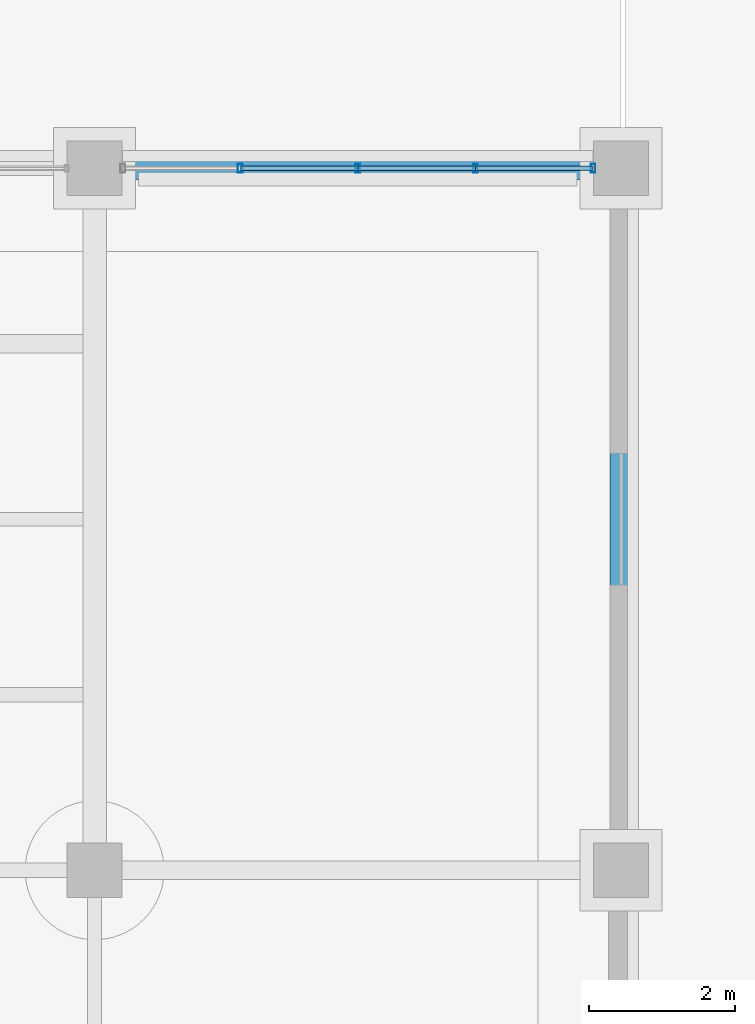
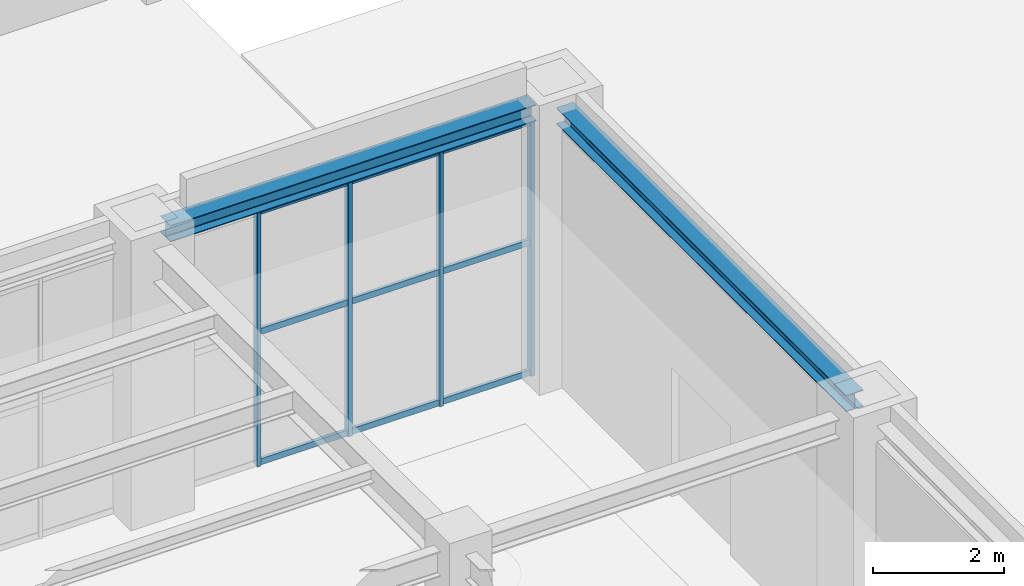
# One storey, part 39 of 164: 13 members, 2 beams, 1 element without a shape of its own.
"""IFC4 building model written with IfcOpenShell, lengths in metres."""

from ifc_helpers import new_model, si_unit, direction, frame, origin, origin_2d, place, context, subcontext, project, spatial, hollow_rectangle, i_section, extrude, material, material_profile, profile_set, type_object, element, aggregate, save


model = new_model("IFC4")

# Units and contexts
model_context = context("Model", 3, precision=1e-05, world=origin(), true_north=direction((0.0, 1.0)))
body_context = subcontext(model_context, "Body", "Model", "MODEL_VIEW")
ifc_project = project(units=[si_unit("LENGTHUNIT", "METRE"), si_unit("AREAUNIT", "SQUARE_METRE"), si_unit("VOLUMEUNIT", "CUBIC_METRE"), si_unit("PLANEANGLEUNIT", "RADIAN"), si_unit("MASSUNIT", "GRAM", prefix="KILO")], contexts=[model_context])

# Site, building, storey
site_placement = place(None, origin())
site = spatial("IfcSite", under=ifc_project, at=site_placement, CompositionType="ELEMENT")
building_placement = place(site_placement, origin())
building = spatial("IfcBuilding", under=site, at=building_placement, Name="Mavantir Sound Aquarium", CompositionType="ELEMENT")
storey_placement = place(building_placement, origin())
storey = spatial("IfcBuildingStorey", under=building, at=storey_placement, Name="L00", CompositionType="ELEMENT", Elevation=0.0)

# Beams
ifc_material_1 = material(Name="Structural Steel ASTM A992 Gr50", Category="steel")
ifc_material_profile_1 = material_profile(ifc_material_1, i_section(OverallWidth=0.304931640625, OverallDepth=0.30810546875, WebThickness=0.010009765625, FlangeThickness=0.015380859375, FilletRadius=0.014892578125, at=origin_2d()), Name="W310X97")
ifc_profile_set_1 = profile_set([ifc_material_profile_1], Name="Structural Steel ASTM A992 Gr50")
beam_type = type_object("IfcBeamType", Name="BM-W310X97-E", PredefinedType="SPANDREL", material=ifc_profile_set_1)
beam_1_placement = place(storey_placement, frame((38.77490234375, 28.800048828125, 4.9619140625), z_axis=(1.0, 0.0, 0.0), x_axis=(0.0, 1.0, 0.0)))
element("IfcBeam", 1, at=beam_1_placement, inside=storey, type_object=beam_type, Name="L00 primary beam SS-31A 905", PredefinedType="SPANDREL", context=body_context, shape_type="SweptSolid", body=[
    extrude(i_section(OverallWidth=0.304931640625, OverallDepth=0.30810546875, WebThickness=0.010009765625, FlangeThickness=0.015380859375, FilletRadius=0.014892578125, at=origin_2d()), origin(), (0.0, 0.0, 1.0), 6.4501953125),
])
beam_2_placement = place(storey_placement, frame((45.60009765625, 19.574951171875, 4.9619140625), z_axis=(0.0, 1.0, 0.0), x_axis=(-1.0, 0.0, 0.0)))
element("IfcBeam", 2, at=beam_2_placement, inside=storey, type_object=beam_type, Name="L00 primary girder SS-31A 922", PredefinedType="SPANDREL", context=body_context, shape_type="SweptSolid", body=[
    extrude(i_section(OverallWidth=0.304931640625, OverallDepth=0.30810546875, WebThickness=0.010009765625, FlangeThickness=0.015380859375, FilletRadius=0.014892578125, at=origin_2d()), origin(), (0.0, 0.0, 1.0), 8.85009765625),
])

# Curtain wall, members
ifc_material_2 = material(Name="Anodised Marine Aluminium and Low-E Glass", Category="aluminium")
curtain_wall_type = type_object("IfcCurtainWallType", Name="CW-T06", PredefinedType="USERDEFINED", material=ifc_material_2)
curtain_wall_placement = place(storey_placement, origin())
curtain_wall = element("IfcCurtainWall", 3, at=curtain_wall_placement, inside=storey, type_object=curtain_wall_type, Name="L00 unitised curtain wall CW-06 6", ObjectType="UNITISED GLAZING", PredefinedType="USERDEFINED")
ifc_material_3 = material(Name="Anodised Marine Aluminium 6063-T6", Category="aluminium")
ifc_material_profile_2 = material_profile(ifc_material_3, hollow_rectangle(XDim=0.06494140625, YDim=0.1201171875, WallThickness=0.00390625, at=origin_2d()), Name="ALU-MULLION-120X65")
ifc_profile_set_2 = profile_set([ifc_material_profile_2], Name="Anodised Marine Aluminium 6063-T6")
member_type_1 = type_object("IfcMemberType", Name="CW-MUL-120", PredefinedType="MULLION", material=ifc_profile_set_2)
member_1_placement = place(storey_placement, frame((45.217041015625, 28.800048828125, 0.0), z_axis=(0.0, 0.0, 1.0), x_axis=(1.0, 0.0, 0.0)))
member_1 = element("IfcMember", 4, at=member_1_placement, type_object=member_type_1, Name="CW-L00-006 vertical mullion 1", PredefinedType="MULLION", context=body_context, shape_type="SweptSolid", body=[
    extrude(hollow_rectangle(XDim=0.06494140625, YDim=0.1201171875, WallThickness=0.00390625, at=origin_2d()), origin(), (0.0, 0.0, 1.0), 4.778076171875),
])
member_2_placement = place(storey_placement, frame((43.6083984375, 28.800048828125, 0.0), z_axis=(0.0, 0.0, 1.0), x_axis=(1.0, 0.0, 0.0)))
member_2 = element("IfcMember", 5, at=member_2_placement, type_object=member_type_1, Name="CW-L00-006 vertical mullion 2", PredefinedType="MULLION", context=body_context, shape_type="SweptSolid", body=[
    extrude(hollow_rectangle(XDim=0.06494140625, YDim=0.1201171875, WallThickness=0.00390625, at=origin_2d()), origin(), (0.0, 0.0, 1.0), 4.778076171875),
])
member_3_placement = place(storey_placement, frame((42.0, 28.800048828125, 0.0), z_axis=(0.0, 0.0, 1.0), x_axis=(1.0, 0.0, 0.0)))
member_3 = element("IfcMember", 6, at=member_3_placement, type_object=member_type_1, Name="CW-L00-006 vertical mullion 3", PredefinedType="MULLION", context=body_context, shape_type="SweptSolid", body=[
    extrude(hollow_rectangle(XDim=0.06494140625, YDim=0.1201171875, WallThickness=0.00390625, at=origin_2d()), origin(), (0.0, 0.0, 1.0), 4.778076171875),
])
member_4_placement = place(storey_placement, frame((40.3916015625, 28.800048828125, 0.0), z_axis=(0.0, 0.0, 1.0), x_axis=(1.0, 0.0, 0.0)))
member_4 = element("IfcMember", 7, at=member_4_placement, type_object=member_type_1, Name="CW-L00-006 vertical mullion 4", PredefinedType="MULLION", context=body_context, shape_type="SweptSolid", body=[
    extrude(hollow_rectangle(XDim=0.06494140625, YDim=0.1201171875, WallThickness=0.00390625, at=origin_2d()), origin(), (0.0, 0.0, 1.0), 4.778076171875),
])
ifc_material_profile_3 = material_profile(ifc_material_3, hollow_rectangle(XDim=0.06005859375, YDim=0.110107421875, WallThickness=0.00390625, at=origin_2d()), Name="ALU-TRANSOM-110X60")
ifc_profile_set_3 = profile_set([ifc_material_profile_3], Name="Anodised Marine Aluminium 6063-T6")
member_type_2 = type_object("IfcMemberType", Name="CW-TRN-110", PredefinedType="USERDEFINED", material=ifc_profile_set_3)
member_5_placement = place(storey_placement, frame((45.217041015625, 28.800048828125, 0.054931640625), z_axis=(-1.0, 0.0, 0.0), x_axis=(0.0, -1.0, 0.0)))
member_5 = element("IfcMember", 8, at=member_5_placement, type_object=member_type_2, Name="CW-L00-006 transom 1.1", ObjectType="TRANSOM", PredefinedType="USERDEFINED", context=body_context, shape_type="SweptSolid", body=[
    extrude(hollow_rectangle(XDim=0.06005859375, YDim=0.110107421875, WallThickness=0.00390625, at=origin_2d()), origin(), (0.0, 0.0, 1.0), 1.608642578125),
])
member_6_placement = place(storey_placement, frame((45.217041015625, 28.800048828125, 2.484619140625), z_axis=(-1.0, 0.0, 0.0), x_axis=(0.0, -1.0, 0.0)))
member_6 = element("IfcMember", 9, at=member_6_placement, type_object=member_type_2, Name="CW-L00-006 transom 1.2", ObjectType="TRANSOM", PredefinedType="USERDEFINED", context=body_context, shape_type="SweptSolid", body=[
    extrude(hollow_rectangle(XDim=0.06005859375, YDim=0.110107421875, WallThickness=0.00390625, at=origin_2d()), origin(), (0.0, 0.0, 1.0), 1.608642578125),
])
member_7_placement = place(storey_placement, frame((45.217041015625, 28.800048828125, 4.722900390625), z_axis=(-1.0, 0.0, 0.0), x_axis=(0.0, -1.0, 0.0)))
member_7 = element("IfcMember", 10, at=member_7_placement, type_object=member_type_2, Name="CW-L00-006 transom 1.3", ObjectType="TRANSOM", PredefinedType="USERDEFINED", context=body_context, shape_type="SweptSolid", body=[
    extrude(hollow_rectangle(XDim=0.06005859375, YDim=0.110107421875, WallThickness=0.00390625, at=origin_2d()), origin(), (0.0, 0.0, 1.0), 1.608642578125),
])
member_8_placement = place(storey_placement, frame((43.6083984375, 28.800048828125, 0.054931640625), z_axis=(-1.0, 0.0, 0.0), x_axis=(0.0, -1.0, 0.0)))
member_8 = element("IfcMember", 11, at=member_8_placement, type_object=member_type_2, Name="CW-L00-006 transom 2.1", ObjectType="TRANSOM", PredefinedType="USERDEFINED", context=body_context, shape_type="SweptSolid", body=[
    extrude(hollow_rectangle(XDim=0.06005859375, YDim=0.110107421875, WallThickness=0.00390625, at=origin_2d()), origin(), (0.0, 0.0, 1.0), 1.6083984375),
])
member_9_placement = place(storey_placement, frame((43.6083984375, 28.800048828125, 2.484619140625), z_axis=(-1.0, 0.0, 0.0), x_axis=(0.0, -1.0, 0.0)))
member_9 = element("IfcMember", 12, at=member_9_placement, type_object=member_type_2, Name="CW-L00-006 transom 2.2", ObjectType="TRANSOM", PredefinedType="USERDEFINED", context=body_context, shape_type="SweptSolid", body=[
    extrude(hollow_rectangle(XDim=0.06005859375, YDim=0.110107421875, WallThickness=0.00390625, at=origin_2d()), origin(), (0.0, 0.0, 1.0), 1.6083984375),
])
member_10_placement = place(storey_placement, frame((43.6083984375, 28.800048828125, 4.722900390625), z_axis=(-1.0, 0.0, 0.0), x_axis=(0.0, -1.0, 0.0)))
member_10 = element("IfcMember", 13, at=member_10_placement, type_object=member_type_2, Name="CW-L00-006 transom 2.3", ObjectType="TRANSOM", PredefinedType="USERDEFINED", context=body_context, shape_type="SweptSolid", body=[
    extrude(hollow_rectangle(XDim=0.06005859375, YDim=0.110107421875, WallThickness=0.00390625, at=origin_2d()), origin(), (0.0, 0.0, 1.0), 1.6083984375),
])
member_11_placement = place(storey_placement, frame((42.0, 28.800048828125, 0.054931640625), z_axis=(-1.0, 0.0, 0.0), x_axis=(0.0, -1.0, 0.0)))
member_11 = element("IfcMember", 14, at=member_11_placement, type_object=member_type_2, Name="CW-L00-006 transom 3.1", ObjectType="TRANSOM", PredefinedType="USERDEFINED", context=body_context, shape_type="SweptSolid", body=[
    extrude(hollow_rectangle(XDim=0.06005859375, YDim=0.110107421875, WallThickness=0.00390625, at=origin_2d()), origin(), (0.0, 0.0, 1.0), 1.6083984375),
])
member_12_placement = place(storey_placement, frame((42.0, 28.800048828125, 2.484619140625), z_axis=(-1.0, 0.0, 0.0), x_axis=(0.0, -1.0, 0.0)))
member_12 = element("IfcMember", 15, at=member_12_placement, type_object=member_type_2, Name="CW-L00-006 transom 3.2", ObjectType="TRANSOM", PredefinedType="USERDEFINED", context=body_context, shape_type="SweptSolid", body=[
    extrude(hollow_rectangle(XDim=0.06005859375, YDim=0.110107421875, WallThickness=0.00390625, at=origin_2d()), origin(), (0.0, 0.0, 1.0), 1.6083984375),
])
member_13_placement = place(storey_placement, frame((42.0, 28.800048828125, 4.722900390625), z_axis=(-1.0, 0.0, 0.0), x_axis=(0.0, -1.0, 0.0)))
member_13 = element("IfcMember", 16, at=member_13_placement, type_object=member_type_2, Name="CW-L00-006 transom 3.3", ObjectType="TRANSOM", PredefinedType="USERDEFINED", context=body_context, shape_type="SweptSolid", body=[
    extrude(hollow_rectangle(XDim=0.06005859375, YDim=0.110107421875, WallThickness=0.00390625, at=origin_2d()), origin(), (0.0, 0.0, 1.0), 1.6083984375),
])
aggregate(curtain_wall, [member_1, member_2, member_3, member_4, member_5, member_6, member_7, member_8, member_9, member_10, member_11, member_12, member_13])

save(model, "model.ifc")
